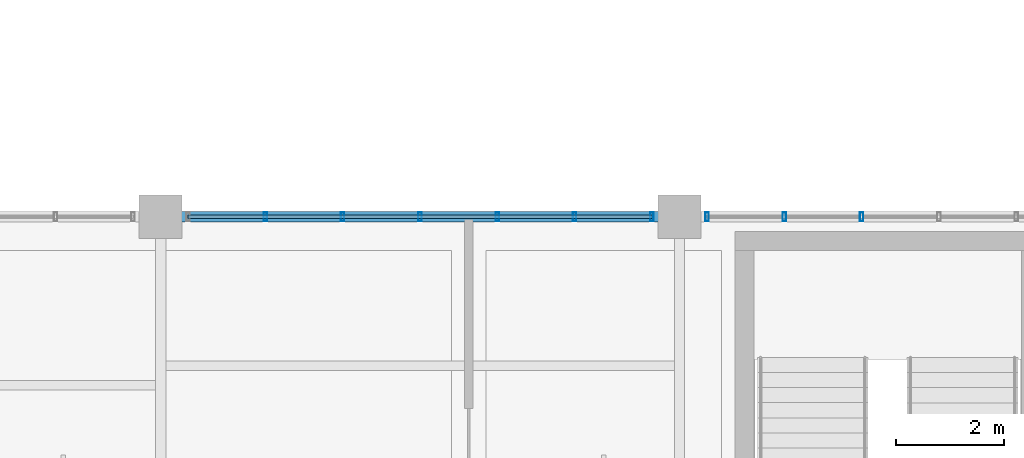
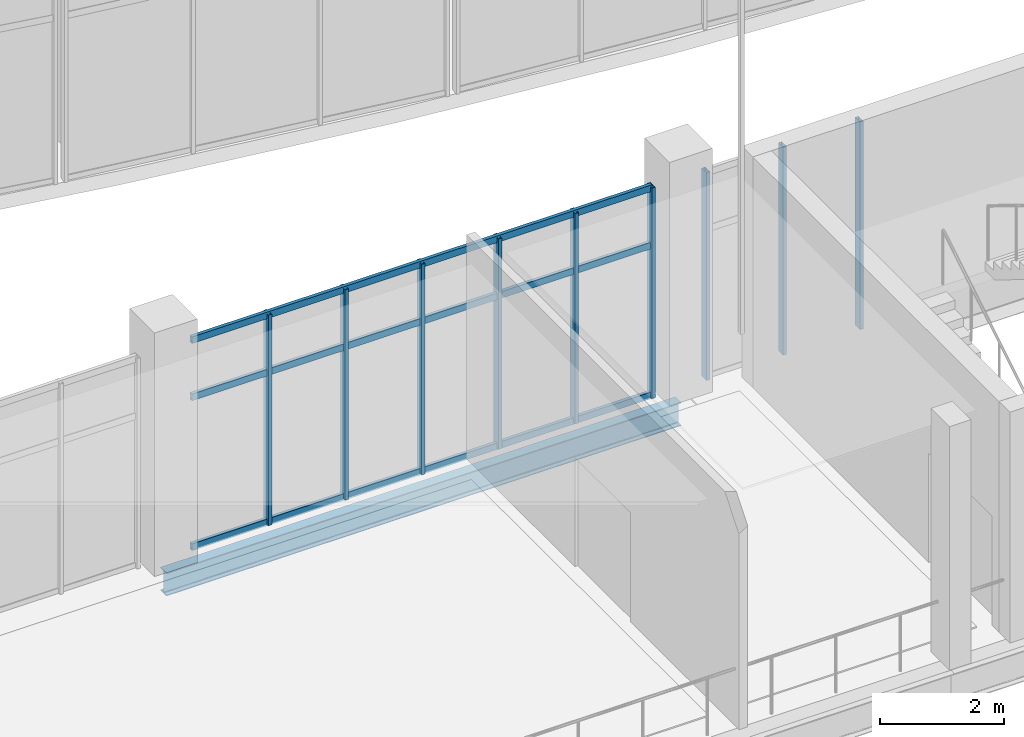
# One storey, part 57 of 157: 12 members, 1 beam, 2 elements without a shape of their own.
"""IFC4 building model written with IfcOpenShell, lengths in metres."""

from ifc_helpers import new_model, si_unit, direction, frame, origin, origin_2d, place, context, subcontext, project, spatial, hollow_rectangle, i_section, extrude, material, layer, layer_set, material_profile, profile_set, type_object, element, aggregate, save


model = new_model("IFC4")

# Units and contexts
model_context = context("Model", 3, precision=1e-05, world=origin(), true_north=direction((0.0, 1.0)))
body_context = subcontext(model_context, "Body", "Model", "MODEL_VIEW")
ifc_project = project(units=[si_unit("LENGTHUNIT", "METRE"), si_unit("AREAUNIT", "SQUARE_METRE"), si_unit("VOLUMEUNIT", "CUBIC_METRE"), si_unit("PLANEANGLEUNIT", "RADIAN"), si_unit("MASSUNIT", "GRAM", prefix="KILO")], contexts=[model_context])

# Site, building, storey
site_placement = place(None, origin())
site = spatial("IfcSite", under=ifc_project, at=site_placement, CompositionType="ELEMENT")
building_placement = place(site_placement, origin())
building = spatial("IfcBuilding", under=site, at=building_placement, Name="Chalmorin Arch Market", CompositionType="ELEMENT")
storey_placement = place(building_placement, frame((0.0, 0.0, 4.800048828125)))
storey = spatial("IfcBuildingStorey", under=building, at=storey_placement, Name="L01", CompositionType="ELEMENT", Elevation=4.800048828125)

# Curtain wall, members
ifc_material_1 = material(Name="Aluminium 6063-T6", Category="aluminium")
ifc_layer_1 = layer(ifc_material_1, 0.159912109375)
ifc_layer_set_1 = layer_set([ifc_layer_1], Name="Aluminium 6063-T6")
curtain_wall_type_1 = type_object("IfcCurtainWallType", Name="MarketClerestoryCurtainWall-CW1-8580x4150", PredefinedType="NOTDEFINED", material=ifc_layer_set_1)
curtain_wall_1_placement = place(storey_placement, origin())
curtain_wall_1 = element("IfcCurtainWall", 1, at=curtain_wall_1_placement, inside=storey, type_object=curtain_wall_type_1, Name="CW-01-006", PredefinedType="NOTDEFINED")
ifc_material_profile_1 = material_profile(ifc_material_1, hollow_rectangle(XDim=0.06494140625, YDim=0.159912109375, WallThickness=0.00390625, at=origin_2d()), Name="ALU65X160X4")
ifc_profile_set_1 = profile_set([ifc_material_profile_1], Name="Aluminium 6063-T6")
member_type_1 = type_object("IfcMemberType", Name="CurtainWallMullion-65x160", PredefinedType="MULLION", material=ifc_profile_set_1)
member_1_placement = place(storey_placement, frame((59.5400390625, 58.800048828125, 0.0), z_axis=(0.0, 0.0, 1.0), x_axis=(1.0, 0.0, 0.0)))
member_1 = element("IfcMember", 2, at=member_1_placement, type_object=member_type_1, Name="ML-006-02", PredefinedType="MULLION", context=body_context, shape_type="SweptSolid", body=[
    extrude(hollow_rectangle(XDim=0.06494140625, YDim=0.159912109375, WallThickness=0.00390625, at=origin_2d()), origin(), (0.0, 0.0, 1.0), 4.14990234375),
])
member_2_placement = place(storey_placement, frame((60.969970703125, 58.800048828125, 0.0), z_axis=(0.0, 0.0, 1.0), x_axis=(1.0, 0.0, 0.0)))
member_2 = element("IfcMember", 3, at=member_2_placement, type_object=member_type_1, Name="ML-006-03", PredefinedType="MULLION", context=body_context, shape_type="SweptSolid", body=[
    extrude(hollow_rectangle(XDim=0.06494140625, YDim=0.159912109375, WallThickness=0.00390625, at=origin_2d()), origin(), (0.0, 0.0, 1.0), 4.14990234375),
])
member_3_placement = place(storey_placement, frame((62.39990234375, 58.800048828125, 0.0), z_axis=(0.0, 0.0, 1.0), x_axis=(1.0, 0.0, 0.0)))
member_3 = element("IfcMember", 4, at=member_3_placement, type_object=member_type_1, Name="ML-006-04", PredefinedType="MULLION", context=body_context, shape_type="SweptSolid", body=[
    extrude(hollow_rectangle(XDim=0.06494140625, YDim=0.159912109375, WallThickness=0.00390625, at=origin_2d()), origin(), (0.0, 0.0, 1.0), 4.14990234375),
])
member_4_placement = place(storey_placement, frame((63.830078125, 58.800048828125, 0.0), z_axis=(0.0, 0.0, 1.0), x_axis=(1.0, 0.0, 0.0)))
member_4 = element("IfcMember", 5, at=member_4_placement, type_object=member_type_1, Name="ML-006-05", PredefinedType="MULLION", context=body_context, shape_type="SweptSolid", body=[
    extrude(hollow_rectangle(XDim=0.06494140625, YDim=0.159912109375, WallThickness=0.00390625, at=origin_2d()), origin(), (0.0, 0.0, 1.0), 4.14990234375),
])
member_5_placement = place(storey_placement, frame((65.260009765625, 58.800048828125, 0.0), z_axis=(0.0, 0.0, 1.0), x_axis=(1.0, 0.0, 0.0)))
member_5 = element("IfcMember", 6, at=member_5_placement, type_object=member_type_1, Name="ML-006-06", PredefinedType="MULLION", context=body_context, shape_type="SweptSolid", body=[
    extrude(hollow_rectangle(XDim=0.06494140625, YDim=0.159912109375, WallThickness=0.00390625, at=origin_2d()), origin(), (0.0, 0.0, 1.0), 4.14990234375),
])
member_6_placement = place(storey_placement, frame((66.68994140625, 58.800048828125, 0.0), z_axis=(0.0, 0.0, 1.0), x_axis=(1.0, 0.0, 0.0)))
member_6 = element("IfcMember", 7, at=member_6_placement, type_object=member_type_1, Name="ML-006-07", PredefinedType="MULLION", context=body_context, shape_type="SweptSolid", body=[
    extrude(hollow_rectangle(XDim=0.06494140625, YDim=0.159912109375, WallThickness=0.00390625, at=origin_2d()), origin(), (0.0, 0.0, 1.0), 4.14990234375),
])

ifc_layer_2 = layer(ifc_material_1, 0.159912109375)
ifc_layer_set_2 = layer_set([ifc_layer_2], Name="Aluminium 6063-T6")
curtain_wall_type_2 = type_object("IfcCurtainWallType", Name="MarketClerestoryCurtainWall-CW1-8580x4100", PredefinedType="NOTDEFINED", material=ifc_layer_set_2)
curtain_wall_2_placement = place(storey_placement, origin())
curtain_wall_2 = element("IfcCurtainWall", 8, at=curtain_wall_2_placement, inside=storey, type_object=curtain_wall_type_2, Name="CW-01-009", PredefinedType="NOTDEFINED")
member_7_placement = place(storey_placement, frame((67.7099609375, 58.800048828125, 0.0), z_axis=(0.0, 0.0, 1.0), x_axis=(1.0, 0.0, 0.0)))
member_7 = element("IfcMember", 9, at=member_7_placement, type_object=member_type_1, Name="ML-009-01", PredefinedType="MULLION", context=body_context, shape_type="SweptSolid", body=[
    extrude(hollow_rectangle(XDim=0.06494140625, YDim=0.159912109375, WallThickness=0.00390625, at=origin_2d()), origin(), (0.0, 0.0, 1.0), 4.095947265625),
])
member_8_placement = place(storey_placement, frame((69.139892578125, 58.800048828125, 0.0), z_axis=(0.0, 0.0, 1.0), x_axis=(1.0, 0.0, 0.0)))
member_8 = element("IfcMember", 10, at=member_8_placement, type_object=member_type_1, Name="ML-009-02", PredefinedType="MULLION", context=body_context, shape_type="SweptSolid", body=[
    extrude(hollow_rectangle(XDim=0.06494140625, YDim=0.159912109375, WallThickness=0.00390625, at=origin_2d()), origin(), (0.0, 0.0, 1.0), 4.095947265625),
])
member_9_placement = place(storey_placement, frame((70.570068359375, 58.800048828125, 0.0), z_axis=(0.0, 0.0, 1.0), x_axis=(1.0, 0.0, 0.0)))
member_9 = element("IfcMember", 11, at=member_9_placement, type_object=member_type_1, Name="ML-009-03", PredefinedType="MULLION", context=body_context, shape_type="SweptSolid", body=[
    extrude(hollow_rectangle(XDim=0.06494140625, YDim=0.159912109375, WallThickness=0.00390625, at=origin_2d()), origin(), (0.0, 0.0, 1.0), 4.095947265625),
])
aggregate(curtain_wall_2, [member_7, member_8, member_9])

# Member
ifc_material_profile_2 = material_profile(ifc_material_1, hollow_rectangle(XDim=0.06494140625, YDim=0.1298828125, WallThickness=0.00390625, at=origin_2d()), Name="ALU65X130X4")
ifc_profile_set_2 = profile_set([ifc_material_profile_2], Name="Aluminium 6063-T6")
member_type_2 = type_object("IfcMemberType", Name="CurtainWallTransom-65x130", PredefinedType="USERDEFINED", material=ifc_profile_set_2)
member_10_placement = place(storey_placement, frame((58.110107421875, 58.800048828125, 0.034912109375), z_axis=(1.0, 0.0, 0.0), x_axis=(0.0, 1.0, 0.0)))
member_10 = element("IfcMember", 12, at=member_10_placement, type_object=member_type_2, Name="TR-006-01", ObjectType="TRANSOM", PredefinedType="USERDEFINED", context=body_context, shape_type="SweptSolid", body=[
    extrude(hollow_rectangle(XDim=0.06494140625, YDim=0.1298828125, WallThickness=0.00390625, at=origin_2d()), origin(), (0.0, 0.0, 1.0), 8.579833984375),
])

member_11_placement = place(storey_placement, frame((58.110107421875, 58.800048828125, 2.988037109375), z_axis=(1.0, 0.0, 0.0), x_axis=(0.0, 1.0, 0.0)))
member_11 = element("IfcMember", 13, at=member_11_placement, type_object=member_type_2, Name="TR-006-02", ObjectType="TRANSOM", PredefinedType="USERDEFINED", context=body_context, shape_type="SweptSolid", body=[
    extrude(hollow_rectangle(XDim=0.06494140625, YDim=0.1298828125, WallThickness=0.00390625, at=origin_2d()), origin(), (0.0, 0.0, 1.0), 8.579833984375),
])

member_12_placement = place(storey_placement, frame((58.110107421875, 58.800048828125, 4.114990234375), z_axis=(1.0, 0.0, 0.0), x_axis=(0.0, 1.0, 0.0)))
member_12 = element("IfcMember", 14, at=member_12_placement, type_object=member_type_2, Name="TR-006-03", ObjectType="TRANSOM", PredefinedType="USERDEFINED", context=body_context, shape_type="SweptSolid", body=[
    extrude(hollow_rectangle(XDim=0.06494140625, YDim=0.1298828125, WallThickness=0.00390625, at=origin_2d()), origin(), (0.0, 0.0, 1.0), 8.579833984375),
])

aggregate(curtain_wall_1, [member_1, member_2, member_3, member_4, member_5, member_6, member_10, member_11, member_12])

# Beam
ifc_material_2 = material(Name="Steel A992 Grade 50", Category="steel")
ifc_material_profile_3 = material_profile(ifc_material_2, i_section(OverallWidth=0.19091796875, OverallDepth=0.45703125, WebThickness=0.009033203125, FlangeThickness=0.014404296875, FilletRadius=0.02001953125, at=origin_2d()), Name="W18X50")
ifc_profile_set_3 = profile_set([ifc_material_profile_3], Name="Steel A992 Grade 50")
beam_type = type_object("IfcBeamType", Name="PerimeterSpandrelBeam-W18X50", PredefinedType="SPANDREL", material=ifc_profile_set_3)
beam_placement = place(storey_placement, frame((57.60009765625, 58.800048828125, -0.48046875), z_axis=(1.0, 0.0, 0.0), x_axis=(0.0, 1.0, 0.0)))
element("IfcBeam", 15, at=beam_placement, inside=storey, type_object=beam_type, Name="SP-W18-0644", PredefinedType="SPANDREL", context=body_context, shape_type="SweptSolid", body=[
    extrude(i_section(OverallWidth=0.19091796875, OverallDepth=0.45703125, WebThickness=0.009033203125, FlangeThickness=0.014404296875, FilletRadius=0.02001953125, at=origin_2d()), origin(), (0.0, 0.0, 1.0), 9.599853515625),
])

save(model, "model.ifc")
